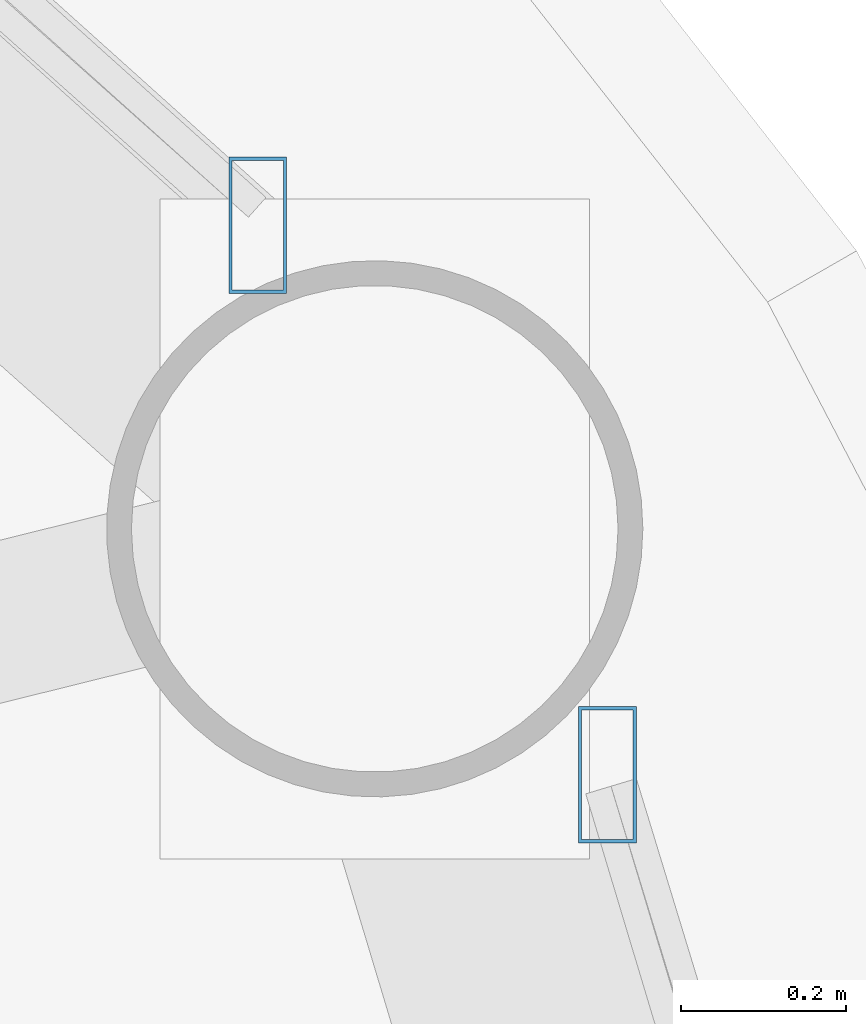
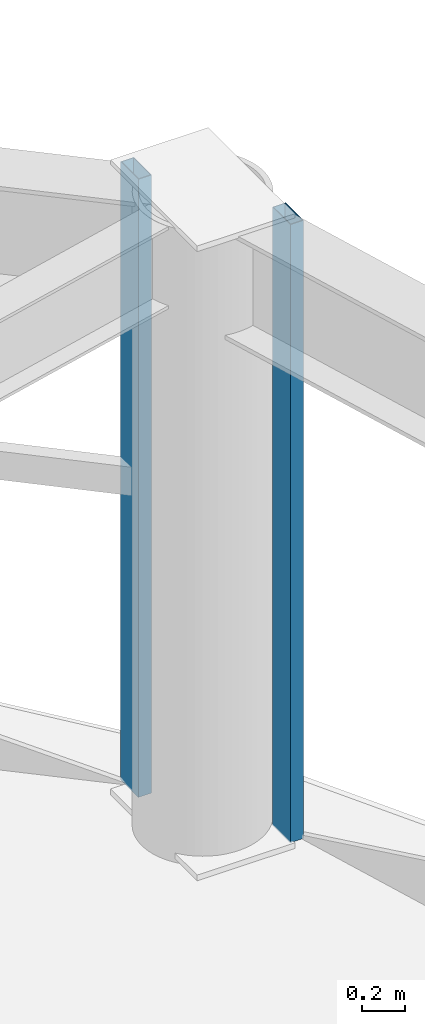
# One storey, part 15 of 28: 2 members, 2 elements without a shape of their own.
"""IFC4 building model written with IfcOpenShell, lengths in metres."""

from ifc_helpers import new_model, si_unit, direction, frame, origin, origin_2d, place, context, subcontext, project, spatial, hollow_rectangle, extrude, material, layer, layer_set, material_profile, profile_set, type_object, element, aggregate, save


model = new_model("IFC4")

# Units and contexts
model_context = context("Model", 3, precision=1e-05, world=origin(), true_north=direction((0.0, 1.0)))
body_context = subcontext(model_context, "Body", "Model", "MODEL_VIEW")
ifc_project = project(units=[si_unit("LENGTHUNIT", "METRE"), si_unit("AREAUNIT", "SQUARE_METRE"), si_unit("VOLUMEUNIT", "CUBIC_METRE"), si_unit("PLANEANGLEUNIT", "RADIAN"), si_unit("MASSUNIT", "GRAM", prefix="KILO")], contexts=[model_context])

# Site, building, storey
site_placement = place(None, origin())
site = spatial("IfcSite", under=ifc_project, at=site_placement, CompositionType="ELEMENT")
building_placement = place(site_placement, origin())
building = spatial("IfcBuilding", under=site, at=building_placement, Name="Vantalir Tower", CompositionType="ELEMENT")
storey_placement = place(building_placement, frame((0.0, 0.0, 223.64990234375)))
storey = spatial("IfcBuildingStorey", under=building, at=storey_placement, Name="L56", CompositionType="ELEMENT", Elevation=223.64990234375)

# Curtain wall, member
ifc_material_1 = material(Name="Champagne-silver PVDF aluminium and double-silver Low-E glass", Category="aluminium")
ifc_layer = layer(ifc_material_1, 0.2099609375)
ifc_layer_set = layer_set([ifc_layer], Name="Champagne-silver PVDF aluminium and double-silver Low-E glass")
curtain_wall_type = type_object("IfcCurtainWallType", Name="CW-DIAMOND-Z3", PredefinedType="USERDEFINED", material=ifc_layer_set)
curtain_wall_1_placement = place(storey_placement, origin())
curtain_wall_1 = element("IfcCurtainWall", 1, at=curtain_wall_1_placement, inside=storey, type_object=curtain_wall_type, Name="L56 Quilted Pyramid-Diamond Curtain Wall S01", ObjectType="UNITISED CURTAIN WALL", PredefinedType="USERDEFINED")
ifc_material_2 = material(Name="Champagne-silver PVDF aluminium 6063-T6", Category="aluminium")
ifc_material_profile = material_profile(ifc_material_2, hollow_rectangle(XDim=0.070068359375, YDim=0.1650390625, WallThickness=0.00390625, at=origin_2d()), Name="Champagne-silver PVDF aluminium 6063-T6")
ifc_profile_set = profile_set([ifc_material_profile], Name="Champagne-silver PVDF aluminium 6063-T6")
member_type = type_object("IfcMemberType", Name="CWM-165x70", PredefinedType="MULLION", material=ifc_profile_set)
member_1_placement = place(storey_placement, frame((50.845947265625, 34.5, 0.045166015625), z_axis=(0.0, 0.0, 1.0), x_axis=(1.0, 0.0, 0.0)))
member_1 = element("IfcMember", 2, at=member_1_placement, type_object=member_type, Name="CW-L56-S01 Mullion 2", PredefinedType="MULLION", context=body_context, shape_type="SweptSolid", body=[
    extrude(hollow_rectangle(XDim=0.070068359375, YDim=0.1650390625, WallThickness=0.00390625, at=origin_2d()), origin(), (0.0, 0.0, 1.0), 3.47998046875),
])
aggregate(curtain_wall_1, [member_1])

curtain_wall_2_placement = place(storey_placement, origin())
curtain_wall_2 = element("IfcCurtainWall", 3, at=curtain_wall_2_placement, inside=storey, type_object=curtain_wall_type, Name="L56 Quilted Pyramid-Diamond Curtain Wall S02", ObjectType="UNITISED CURTAIN WALL", PredefinedType="USERDEFINED")
member_2_placement = place(storey_placement, frame((50.422119140625, 35.166015625, 0.045166015625), z_axis=(0.0, 0.0, 1.0), x_axis=(1.0, 0.0, 0.0)))
member_2 = element("IfcMember", 4, at=member_2_placement, type_object=member_type, Name="CW-L56-S02 Mullion 1", PredefinedType="MULLION", context=body_context, shape_type="SweptSolid", body=[
    extrude(hollow_rectangle(XDim=0.070068359375, YDim=0.1650390625, WallThickness=0.00390625, at=origin_2d()), origin(), (0.0, 0.0, 1.0), 3.47998046875),
])
aggregate(curtain_wall_2, [member_2])

save(model, "model.ifc")
